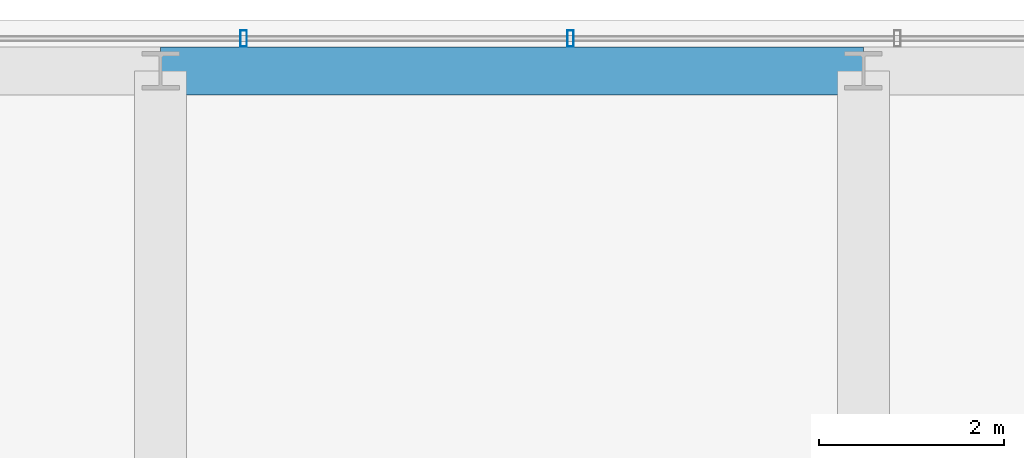
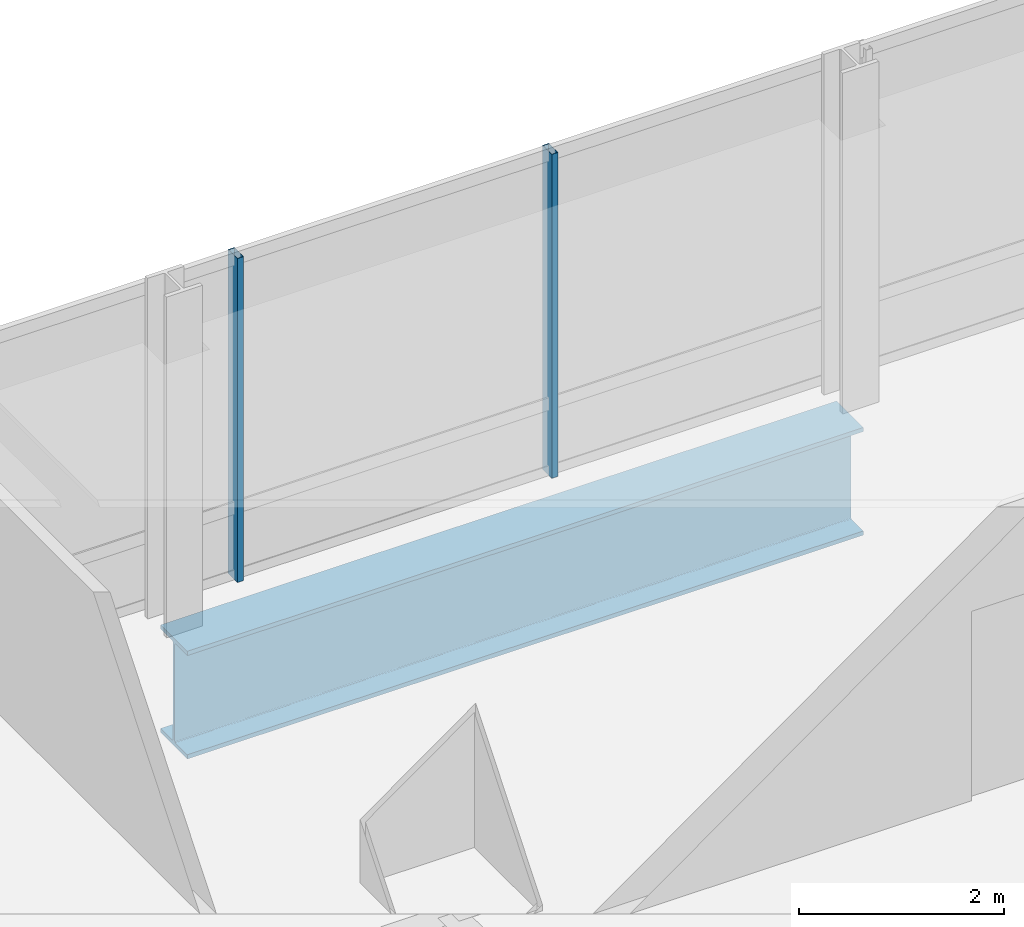
# One storey, part 27 of 42: 2 members, 1 beam, 1 element without a shape of its own.
"""IFC4 building model written with IfcOpenShell, lengths in metres."""

from ifc_helpers import new_model, si_unit, direction, frame, origin, origin_2d, place, context, subcontext, project, spatial, hollow_rectangle, i_section, extrude, material, material_profile, profile_set, type_object, element, aggregate, save


model = new_model("IFC4")

# Units and contexts
model_context = context("Model", 3, precision=1e-05, world=origin(), true_north=direction((0.0, 1.0)))
body_context = subcontext(model_context, "Body", "Model", "MODEL_VIEW")
ifc_project = project(units=[si_unit("LENGTHUNIT", "METRE"), si_unit("AREAUNIT", "SQUARE_METRE"), si_unit("VOLUMEUNIT", "CUBIC_METRE"), si_unit("PLANEANGLEUNIT", "RADIAN"), si_unit("MASSUNIT", "GRAM", prefix="KILO")], contexts=[model_context])

# Site, building, storey
site_placement = place(None, origin())
site = spatial("IfcSite", under=ifc_project, at=site_placement, CompositionType="ELEMENT")
building_placement = place(site_placement, origin())
building = spatial("IfcBuilding", under=site, at=building_placement, Name="Punatoya Terracotta Tower", CompositionType="ELEMENT")
storey_placement = place(building_placement, frame((0.0, 0.0, 259.5)))
storey = spatial("IfcBuildingStorey", under=building, at=storey_placement, Name="L61", CompositionType="ELEMENT", Elevation=259.5)

# Beam
ifc_material_1 = material(Name="Steel S460", Category="steel")
ifc_material_profile_1 = material_profile(ifc_material_1, i_section(OverallWidth=0.52001953125, OverallDepth=1.280029296875, WebThickness=0.031982421875, FlangeThickness=0.050048828125, FilletRadius=0.01806640625, at=origin_2d()))
ifc_profile_set_1 = profile_set([ifc_material_profile_1], Name="Steel S460")
beam_type = type_object("IfcBeamType", Name="BM-TG-NCK", PredefinedType="BEAM", material=ifc_profile_set_1)
beam_placement = place(storey_placement, frame((-3.800048828125, 22.89990234375, -0.840087890625), z_axis=(1.0, 0.0, 0.0), x_axis=(0.0, 1.0, 0.0)))
element("IfcBeam", 1, at=beam_placement, inside=storey, type_object=beam_type, Name="BM-L61-PER-N2", PredefinedType="BEAM", context=body_context, shape_type="SweptSolid", body=[
    extrude(i_section(OverallWidth=0.52001953125, OverallDepth=1.280029296875, WebThickness=0.031982421875, FlangeThickness=0.050048828125, FilletRadius=0.01806640625, at=origin_2d()), origin(), (0.0, 0.0, 1.0), 7.60009765625),
])

# Curtain wall, members
ifc_material_2 = material(Name="Aluminium 6063-T6 + Double Low-E Glass", Category="aluminium")
curtain_wall_type = type_object("IfcCurtainWallType", Name="CW-M3", PredefinedType="NOTDEFINED", material=ifc_material_2)
curtain_wall_placement = place(storey_placement, origin())
curtain_wall = element("IfcCurtainWall", 2, at=curtain_wall_placement, inside=storey, type_object=curtain_wall_type, Name="L61 Curtain Wall CW-L61-N09-1", PredefinedType="NOTDEFINED")
ifc_material_3 = material(Name="Aluminium 6063-T6", Category="aluminium")
ifc_material_profile_2 = material_profile(ifc_material_3, hollow_rectangle(XDim=0.070068359375, YDim=0.179931640625, WallThickness=0.00390625, at=origin_2d()))
ifc_profile_set_2 = profile_set([ifc_material_profile_2], Name="Aluminium 6063-T6")
member_type = type_object("IfcMemberType", Name="CW-MUL-M3", PredefinedType="MULLION", material=ifc_profile_set_2)
member_1_placement = place(storey_placement, frame((0.633056640625, 23.25, 0.0), z_axis=(0.0, 0.0, 1.0), x_axis=(1.0, 0.0, 0.0)))
member_1 = element("IfcMember", 3, at=member_1_placement, type_object=member_type, Name="CW-L61-N09-1 Mullion 06", PredefinedType="MULLION", context=body_context, shape_type="SweptSolid", body=[
    extrude(hollow_rectangle(XDim=0.070068359375, YDim=0.179931640625, WallThickness=0.00390625, at=origin_2d()), origin(), (0.0, 0.0, 1.0), 3.85009765625),
])
member_2_placement = place(storey_placement, frame((-2.90087890625, 23.25, 0.0), z_axis=(0.0, 0.0, 1.0), x_axis=(1.0, 0.0, 0.0)))
member_2 = element("IfcMember", 4, at=member_2_placement, type_object=member_type, Name="CW-L61-N09-1 Mullion 07", PredefinedType="MULLION", context=body_context, shape_type="SweptSolid", body=[
    extrude(hollow_rectangle(XDim=0.070068359375, YDim=0.179931640625, WallThickness=0.00390625, at=origin_2d()), origin(), (0.0, 0.0, 1.0), 3.85009765625),
])
aggregate(curtain_wall, [member_1, member_2])

save(model, "model.ifc")
